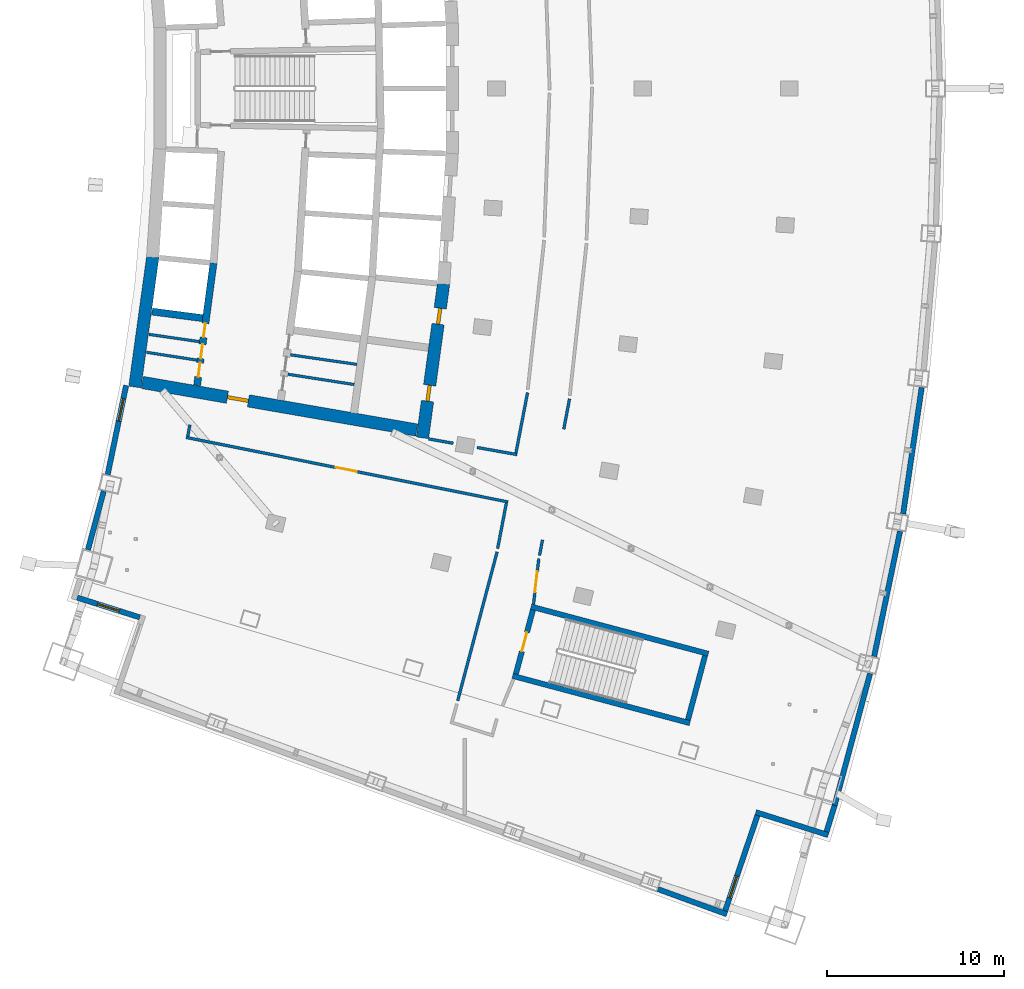
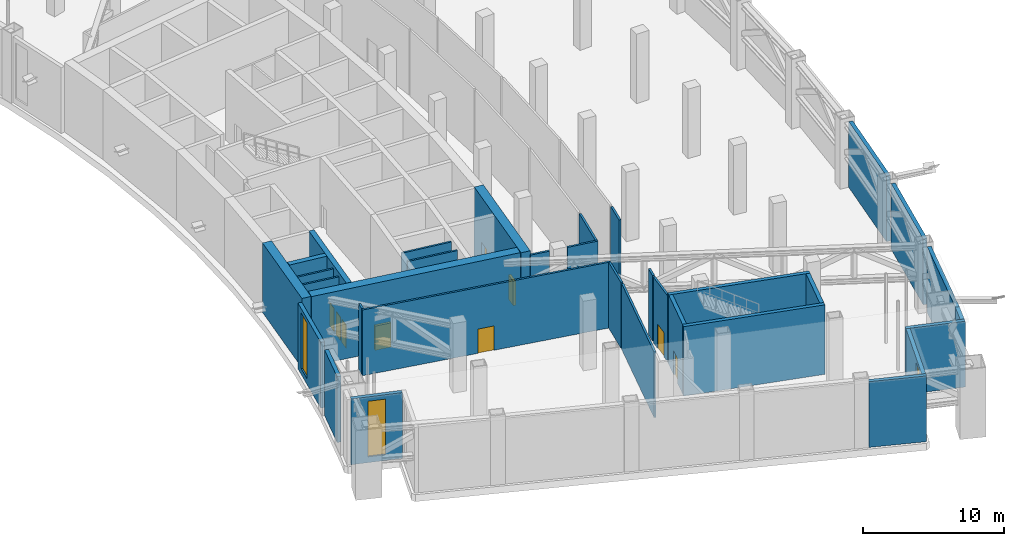
# One storey, part 16 of 26: 33 walls, 9 doors, 3 windows, 12 openings.
"""IFC4 building model written with IfcOpenShell, lengths in metres."""

from ifc_helpers import new_model, si_unit, direction, frame, frame_2d, origin, place, context, subcontext, project, spatial, rectangle, extrude, material, layer, layer_set, type_object, element, fill, save


model = new_model("IFC4")

# Units and contexts
model_context = context("Model", 3, precision=1e-05, world=origin(), true_north=direction((0.0, 1.0)))
body_context = subcontext(model_context, "Body", "Model", "MODEL_VIEW")
ifc_project = project(units=[si_unit("LENGTHUNIT", "METRE"), si_unit("AREAUNIT", "SQUARE_METRE"), si_unit("VOLUMEUNIT", "CUBIC_METRE"), si_unit("PLANEANGLEUNIT", "RADIAN"), si_unit("MASSUNIT", "GRAM", prefix="KILO")], contexts=[model_context])

# Site, building, storey
site_placement = place(None, origin())
site = spatial("IfcSite", under=ifc_project, at=site_placement, CompositionType="ELEMENT")
building_placement = place(site_placement, origin())
building = spatial("IfcBuilding", under=site, at=building_placement, Name="Alderwake Tower", CompositionType="ELEMENT")
storey_placement = place(building_placement, frame((0.0, 0.0, 132.800048828125)))
storey = spatial("IfcBuildingStorey", under=building, at=storey_placement, Name="L32", CompositionType="ELEMENT", Elevation=132.800048828125)

# Walls
ifc_material_1 = material(Name="Gypsum shaft wall system, rated")
ifc_layer_1 = layer(ifc_material_1, 0.14990234375)
ifc_layer_set_1 = layer_set([ifc_layer_1], Name="Core room partition 150")
wall_type_1 = type_object("IfcWallType", Name="Core room partition 150", PredefinedType="PARTITIONING", material=ifc_layer_set_1)
wall_1_placement = place(storey_placement, frame((16.024169921875, 46.097900390625, 0.0), z_axis=(0.0, 0.0, 1.0), x_axis=(0.988178321224, -0.153308856442, 0.0)))
element("IfcWall", 1, at=wall_1_placement, inside=storey, type_object=wall_type_1, Name="CW/L32/PR-161_+0", PredefinedType="PARTITIONING", context=body_context, shape_type="SweptSolid", body=[
    extrude(rectangle(XDim=2.88720703125, YDim=0.14990234375, at=frame_2d((1.443603515625, 0.0))), origin(), (0.0, 0.0, 1.0), 5.679931640625),
])
wall_2_placement = place(storey_placement, frame((24.01318359375, 44.858154296875, 0.0), z_axis=(0.0, 0.0, 1.0), x_axis=(0.98816936707, -0.153366560842, 0.0)))
element("IfcWall", 2, at=wall_2_placement, inside=storey, type_object=wall_type_1, Name="CW/L32/PR-161_+86", PredefinedType="PARTITIONING", context=body_context, shape_type="SweptSolid", body=[
    extrude(rectangle(XDim=3.796630859375, YDim=0.14990234375, at=frame_2d((1.8984375, 0.0))), origin(), (0.0, 0.0, 1.0), 5.679931640625),
])
wall_3_placement = place(storey_placement, frame((16.16357421875, 47.110595703125, 0.0), z_axis=(0.0, 0.0, 1.0), x_axis=(0.989731551655, -0.142938642984, 0.0)))
element("IfcWall", 3, at=wall_3_placement, inside=storey, type_object=wall_type_1, Name="CW/L32/PR-150_+0", PredefinedType="PARTITIONING", context=body_context, shape_type="SweptSolid", body=[
    extrude(rectangle(XDim=2.883056640625, YDim=0.14990234375, at=frame_2d((1.44140625, 0.0))), origin(), (0.0, 0.0, 1.0), 5.679931640625),
])
wall_4_placement = place(storey_placement, frame((24.160400390625, 45.95556640625, 0.0), z_axis=(0.0, 0.0, 1.0), x_axis=(0.989733513529, -0.142925057975, 0.0)))
element("IfcWall", 4, at=wall_4_placement, inside=storey, type_object=wall_type_1, Name="CW/L32/PR-150_+86", PredefinedType="PARTITIONING", context=body_context, shape_type="SweptSolid", body=[
    extrude(rectangle(XDim=3.795654296875, YDim=0.14990234375, at=frame_2d((1.89794921875, 0.0))), origin(), (0.0, 0.0, 1.0), 5.679931640625),
])
ifc_material_2 = material(Name="Concrete C70/85", Category="concrete")
ifc_layer_2 = layer(ifc_material_2, 0.699951171875)
ifc_layer_set_2 = layer_set([ifc_layer_2], Name="Core wall outer 700 C70-85")
wall_type_2 = type_object("IfcWallType", Name="Core wall outer 700 C70-85", PredefinedType="SHEAR", material=ifc_layer_set_2)
wall_5_placement = place(storey_placement, frame((15.370849609375, 44.1376953125, 0.0), z_axis=(0.0, 0.0, 1.0), x_axis=(0.136315619812, 0.99066545907, 0.0)))
element("IfcWall", 5, at=wall_5_placement, inside=storey, type_object=wall_type_2, Name="Core wall CW.042", PredefinedType="SHEAR", context=body_context, shape_type="SweptSolid", body=[
    extrude(rectangle(XDim=7.420166015625, YDim=0.699951171875, at=frame_2d((3.7099609375, 0.0))), origin(), (0.0, 0.0, 1.0), 6.0),
])

# Wall, openings, doors
wall_6_placement = place(storey_placement, frame((32.81298828125, 49.97412109375, 0.0), z_axis=(0.0, 0.0, 1.0), x_axis=(-0.135835706655, -0.99073137671, 0.0)))
wall_6 = element("IfcWall", 6, at=wall_6_placement, inside=storey, type_object=wall_type_2, Name="Core wall CW.012", PredefinedType="SHEAR", context=body_context, shape_type="SweptSolid", body=[
    extrude(rectangle(XDim=8.790771484375, YDim=0.699951171875, at=frame_2d((4.3955078125, 0.0))), origin(), (0.0, 0.0, 1.0), 6.0),
])
opening_1_placement = place(wall_6_placement, frame((1.40478515625, 0.0, 0.0)))
opening_1 = element("IfcOpeningElement", 7, at=opening_1_placement, cuts=wall_6, Name="Opening C050", PredefinedType="OPENING", context=body_context, shape_type="SweptSolid", body=[
    extrude(rectangle(XDim=0.89990234375, YDim=2.10009765625, at=frame_2d((0.449951171875, 1.050048828125))), frame((0.0, 0.35986328125, 0.0), z_axis=(0.0, -1.0, 0.0), x_axis=(1.0, 0.0, 0.0)), (0.0, 0.0, 1.0), 0.719970703125),
])
opening_2_placement = place(wall_6_placement, frame((5.79443359375, 0.0, 0.0)))
opening_2 = element("IfcOpeningElement", 8, at=opening_2_placement, cuts=wall_6, Name="Opening C061", PredefinedType="OPENING", context=body_context, shape_type="SweptSolid", body=[
    extrude(rectangle(XDim=0.89990234375, YDim=2.10009765625, at=frame_2d((0.449951171875, 1.050048828125))), frame((0.0, 0.35986328125, 0.0), z_axis=(0.0, -1.0, 0.0), x_axis=(1.0, 0.0, 0.0)), (0.0, 0.0, 1.0), 0.719970703125),
])
ifc_material_3 = material(Name="Painted steel leaf", Category="steel")
door_type_1 = type_object("IfcDoorType", Name="Core room door 900", OperationType="SINGLE_SWING_LEFT", PredefinedType="DOOR", material=ifc_material_3)
door_1_placement = place(opening_1_placement, origin())
door_1 = element("IfcDoor", 9, at=door_1_placement, inside=storey, type_object=door_type_1, Name="Room door", OperationType="SINGLE_SWING_RIGHT", OverallHeight=2.10009765625, OverallWidth=0.89990234375, PredefinedType="DOOR", context=body_context, shape_type="SweptSolid", body=[
    extrude(rectangle(XDim=0.89990234375, YDim=2.10009765625, at=frame_2d((0.449951171875, 1.050048828125))), frame((0.0, 0.10009765625, 0.0), z_axis=(0.0, -1.0, 0.0), x_axis=(1.0, 0.0, 0.0)), (0.0, 0.0, 1.0), 0.199951171875),
])
fill(opening_1, door_1)
door_2_placement = place(opening_2_placement, origin())
door_2 = element("IfcDoor", 10, at=door_2_placement, inside=storey, type_object=door_type_1, Name="Room door", OperationType="SINGLE_SWING_LEFT", OverallHeight=2.10009765625, OverallWidth=0.89990234375, PredefinedType="DOOR", context=body_context, shape_type="SweptSolid", body=[
    extrude(rectangle(XDim=0.89990234375, YDim=2.10009765625, at=frame_2d((0.449951171875, 1.050048828125))), frame((0.0, 0.10009765625, 0.0), z_axis=(0.0, -1.0, 0.0), x_axis=(1.0, 0.0, 0.0)), (0.0, 0.0, 1.0), 0.199951171875),
])
fill(opening_2, door_2)

# Wall, opening, door
wall_7_placement = place(storey_placement, frame((31.295654296875, 41.705810546875, 0.0), z_axis=(0.0, 0.0, 1.0), x_axis=(-0.985302589944, 0.170818050129, 0.0)))
wall_7 = element("IfcWall", 11, at=wall_7_placement, inside=storey, type_object=wall_type_2, Name="Core wall CW.072", PredefinedType="SHEAR", context=body_context, shape_type="SweptSolid", body=[
    extrude(rectangle(XDim=15.7373046875, YDim=0.699951171875, at=frame_2d((7.86865234375, 0.0))), origin(), (0.0, 0.0, 1.0), 6.0),
])
opening_3_placement = place(wall_7_placement, frame((9.65576171875, 0.0, 0.0)))
opening_3 = element("IfcOpeningElement", 12, at=opening_3_placement, cuts=wall_7, Name="Opening C003", PredefinedType="OPENING", context=body_context, shape_type="SweptSolid", body=[
    extrude(rectangle(XDim=1.199951171875, YDim=2.10009765625, at=frame_2d((0.60009765625, 1.050048828125))), frame((0.0, 0.35986328125, 0.0), z_axis=(0.0, -1.0, 0.0), x_axis=(1.0, 0.0, 0.0)), (0.0, 0.0, 1.0), 0.719970703125),
])
ifc_material_4 = material(Name="Steel-framed fire door leaf", Category="steel")
door_type_2 = type_object("IfcDoorType", Name="Core lobby exit door 1200 fire-rated", OperationType="SINGLE_SWING_LEFT", PredefinedType="DOOR", material=ifc_material_4)
door_3_placement = place(opening_3_placement, origin())
door_3 = element("IfcDoor", 13, at=door_3_placement, inside=storey, type_object=door_type_2, Name="Lobby door", OperationType="SINGLE_SWING_LEFT", OverallHeight=2.10009765625, OverallWidth=1.199951171875, PredefinedType="DOOR", context=body_context, shape_type="SweptSolid", body=[
    extrude(rectangle(XDim=1.199951171875, YDim=2.10009765625, at=frame_2d((0.60009765625, 1.050048828125))), frame((0.0, 0.10009765625, 0.0), z_axis=(0.0, -1.0, 0.0), x_axis=(1.0, 0.0, 0.0)), (0.0, 0.0, 1.0), 0.199951171875),
])
fill(opening_3, door_3)

# Wall, openings, doors
ifc_material_5 = material(Name="Concrete C70/85", Category="concrete")
ifc_layer_3 = layer(ifc_material_5, 0.39990234375)
ifc_layer_set_3 = layer_set([ifc_layer_3], Name="Core wall spine 400 C70-85")
wall_type_3 = type_object("IfcWallType", Name="Core wall spine 400 C70-85", PredefinedType="SHEAR", material=ifc_layer_set_3)
wall_8_placement = place(storey_placement, frame((19.814697265625, 51.143798828125, 0.0), z_axis=(0.0, 0.0, 1.0), x_axis=(-0.132864871698, -0.991134161387, 0.0)))
wall_8 = element("IfcWall", 14, at=wall_8_placement, inside=storey, type_object=wall_type_3, Name="Core wall CW.033", PredefinedType="SHEAR", context=body_context, shape_type="SweptSolid", body=[
    extrude(rectangle(XDim=6.978759765625, YDim=0.39990234375, at=frame_2d((3.4892578125, 0.0))), origin(), (0.0, 0.0, 1.0), 6.0),
])
opening_4_placement = place(wall_8_placement, frame((5.69677734375, 0.0, 0.0)))
opening_4 = element("IfcOpeningElement", 15, at=opening_4_placement, cuts=wall_8, Name="Opening C009", PredefinedType="OPENING", context=body_context, shape_type="SweptSolid", body=[
    extrude(rectangle(XDim=0.800048828125, YDim=2.0, at=frame_2d((0.39990234375, 1.0))), frame((0.0, 0.2099609375, 0.0), z_axis=(0.0, -1.0, 0.0), x_axis=(1.0, 0.0, 0.0)), (0.0, 0.0, 1.0), 0.419921875),
])
opening_5_placement = place(wall_8_placement, frame((4.64208984375, 0.0, 0.0)))
opening_5 = element("IfcOpeningElement", 16, at=opening_5_placement, cuts=wall_8, Name="Opening C011", PredefinedType="OPENING", context=body_context, shape_type="SweptSolid", body=[
    extrude(rectangle(XDim=0.800048828125, YDim=2.0, at=frame_2d((0.39990234375, 1.0))), frame((0.0, 0.2099609375, 0.0), z_axis=(0.0, -1.0, 0.0), x_axis=(1.0, 0.0, 0.0)), (0.0, 0.0, 1.0), 0.419921875),
])
opening_6_placement = place(wall_8_placement, frame((3.443115234375, 0.0, 0.0)))
opening_6 = element("IfcOpeningElement", 17, at=opening_6_placement, cuts=wall_8, Name="Opening C012", PredefinedType="OPENING", context=body_context, shape_type="SweptSolid", body=[
    extrude(rectangle(XDim=0.800048828125, YDim=2.0, at=frame_2d((0.39990234375, 1.0))), frame((0.0, 0.2099609375, 0.0), z_axis=(0.0, -1.0, 0.0), x_axis=(1.0, 0.0, 0.0)), (0.0, 0.0, 1.0), 0.419921875),
])
ifc_material_6 = material(Name="Painted steel leaf, rated", Category="steel")
door_type_3 = type_object("IfcDoorType", Name="Riser access door 800", OperationType="SINGLE_SWING_LEFT", PredefinedType="DOOR", material=ifc_material_6)
door_4_placement = place(opening_4_placement, origin())
door_4 = element("IfcDoor", 18, at=door_4_placement, inside=storey, type_object=door_type_3, Name="Riser access door", OperationType="SINGLE_SWING_LEFT", OverallHeight=2.0, OverallWidth=0.800048828125, PredefinedType="DOOR", context=body_context, shape_type="SweptSolid", body=[
    extrude(rectangle(XDim=0.800048828125, YDim=2.0, at=frame_2d((0.39990234375, 1.0))), frame((0.0, 0.02490234375, 0.0), z_axis=(0.0, -1.0, 0.0), x_axis=(1.0, 0.0, 0.0)), (0.0, 0.0, 1.0), 0.050048828125),
])
fill(opening_4, door_4)
door_5_placement = place(opening_5_placement, origin())
door_5 = element("IfcDoor", 19, at=door_5_placement, inside=storey, type_object=door_type_3, Name="Riser access door", OperationType="SINGLE_SWING_RIGHT", OverallHeight=2.0, OverallWidth=0.800048828125, PredefinedType="DOOR", context=body_context, shape_type="SweptSolid", body=[
    extrude(rectangle(XDim=0.800048828125, YDim=2.0, at=frame_2d((0.39990234375, 1.0))), frame((0.0, 0.02490234375, 0.0), z_axis=(0.0, -1.0, 0.0), x_axis=(1.0, 0.0, 0.0)), (0.0, 0.0, 1.0), 0.050048828125),
])
fill(opening_5, door_5)
door_6_placement = place(opening_6_placement, origin())
door_6 = element("IfcDoor", 20, at=door_6_placement, inside=storey, type_object=door_type_3, Name="Riser access door", OperationType="SINGLE_SWING_LEFT", OverallHeight=2.0, OverallWidth=0.800048828125, PredefinedType="DOOR", context=body_context, shape_type="SweptSolid", body=[
    extrude(rectangle(XDim=0.800048828125, YDim=2.0, at=frame_2d((0.39990234375, 1.0))), frame((0.0, 0.02490234375, 0.0), z_axis=(0.0, -1.0, 0.0), x_axis=(1.0, 0.0, 0.0)), (0.0, 0.0, 1.0), 0.050048828125),
])
fill(opening_6, door_6)

# Walls
wall_9_placement = place(storey_placement, frame((16.3408203125, 48.3994140625, 0.0), z_axis=(0.0, 0.0, 1.0), x_axis=(0.991544987266, -0.129763393253, 0.0)))
element("IfcWall", 21, at=wall_9_placement, inside=storey, type_object=wall_type_3, Name="Core wall CW.067", PredefinedType="SHEAR", context=body_context, shape_type="SweptSolid", body=[
    extrude(rectangle(XDim=2.878662109375, YDim=0.39990234375, at=frame_2d((1.439453125, 0.0))), origin(), (0.0, 0.0, 1.0), 6.0),
])
ifc_material_7 = material(Name="Concrete C70/85", Category="concrete")
ifc_layer_4 = layer(ifc_material_7, 0.300048828125)
ifc_layer_set_4 = layer_set([ifc_layer_4], Name="Core wall stair enclosure 300 C70-85")
wall_type_4 = type_object("IfcWallType", Name="Core wall stair enclosure 300 C70-85", PredefinedType="SHEAR", material=ifc_layer_set_4)
for number, where, z_axis, x_axis, name in (
    (22, (37.75390625, 31.731201171875, 0.0), (0.0, 0.0, 1.0), (0.966309214305, -0.257383958996, 0.0), "Core wall CW.086"),
    (23, (36.71142578125, 27.817626953125, 0.0), (0.0, 0.0, 1.0), (0.966309214305, -0.257383958996, 0.0), "Core wall CW.088"),
):
    element("IfcWall", number, at=place(storey_placement, frame(where, z_axis=z_axis, x_axis=x_axis)), inside=storey, type_object=wall_type_4, Name=name, PredefinedType="SHEAR", context=body_context, shape_type="SweptSolid", body=[
        extrude(rectangle(XDim=10.360107421875, YDim=0.300048828125, at=frame_2d((5.18017578125, 0.0))), origin(), (0.0, 0.0, 1.0), 6.0),
    ])

# Wall, opening, door
wall_10_placement = place(storey_placement, frame((36.89501953125, 27.923828125, 0.0), z_axis=(0.0, 0.0, 1.0), x_axis=(0.257350630826, 0.966318090907, 0.0)))
wall_10 = element("IfcWall", 24, at=wall_10_placement, inside=storey, type_object=wall_type_4, Name="Core wall CW.087", PredefinedType="SHEAR", context=body_context, shape_type="SweptSolid", body=[
    extrude(rectangle(XDim=3.75, YDim=0.300048828125, at=frame_2d((1.875, 0.0))), origin(), (0.0, 0.0, 1.0), 6.0),
])
opening_7_placement = place(wall_10_placement, frame((1.324951171875, 0.0, 0.0)))
opening_7 = element("IfcOpeningElement", 25, at=opening_7_placement, cuts=wall_10, Name="Opening C065", PredefinedType="OPENING", context=body_context, shape_type="SweptSolid", body=[
    extrude(rectangle(XDim=1.10009765625, YDim=2.10009765625, at=frame_2d((0.550048828125, 1.050048828125))), frame((0.0, 0.159912109375, 0.0), z_axis=(0.0, -1.0, 0.0), x_axis=(1.0, 0.0, 0.0)), (0.0, 0.0, 1.0), 0.320068359375),
])
ifc_material_8 = material(Name="Steel-framed fire door leaf", Category="steel")
door_type_4 = type_object("IfcDoorType", Name="Core stair door 1100 fire-rated", OperationType="SINGLE_SWING_LEFT", PredefinedType="DOOR", material=ifc_material_8)
door_7_placement = place(opening_7_placement, origin())
door_7 = element("IfcDoor", 26, at=door_7_placement, inside=storey, type_object=door_type_4, Name="Stair door", OperationType="SINGLE_SWING_LEFT", OverallHeight=2.10009765625, OverallWidth=1.10009765625, PredefinedType="DOOR", context=body_context, shape_type="SweptSolid", body=[
    extrude(rectangle(XDim=1.10009765625, YDim=2.10009765625, at=frame_2d((0.550048828125, 1.050048828125))), frame((0.0, 0.02490234375, 0.0), z_axis=(0.0, -1.0, 0.0), x_axis=(1.0, 0.0, 0.0)), (0.0, 0.0, 1.0), 0.050048828125),
])
fill(opening_7, door_7)

# Wall
wall_11_placement = place(storey_placement, frame((46.6162109375, 25.334716796875, 0.0), z_axis=(0.0, 0.0, 1.0), x_axis=(0.257366821694, 0.966313778796, 0.0)))
element("IfcWall", 27, at=wall_11_placement, inside=storey, type_object=wall_type_4, Name="Core wall CW.085", PredefinedType="SHEAR", context=body_context, shape_type="SweptSolid", body=[
    extrude(rectangle(XDim=3.749755859375, YDim=0.300048828125, at=frame_2d((1.875, 0.0))), origin(), (0.0, 0.0, 1.0), 6.0),
])

# Wall, opening, door
ifc_material_9 = material(Name="Gypsum board on metal studs, rated")
ifc_layer_5 = layer(ifc_material_9, 0.159912109375)
ifc_layer_set_5 = layer_set([ifc_layer_5], Name="Corridor wall 160")
wall_type_5 = type_object("IfcWallType", Name="Corridor wall 160", PredefinedType="PARTITIONING", material=ifc_layer_set_5)
wall_12_placement = place(storey_placement, frame((18.263671875, 41.289794921875, 0.0), z_axis=(0.0, 0.0, 1.0), x_axis=(0.980485895426, -0.196589442419, 0.0)))
wall_12 = element("IfcWall", 28, at=wall_12_placement, inside=storey, type_object=wall_type_5, Name="WL/L32/W04", PredefinedType="PARTITIONING", context=body_context, shape_type="SweptSolid", body=[
    extrude(rectangle(XDim=18.548828125, YDim=0.159912109375, at=frame_2d((9.2744140625, 0.0))), origin(), (0.0, 0.0, 1.0), 5.679931640625),
])
opening_8_placement = place(wall_12_placement, frame((8.629150390625, 0.0, 0.0)))
opening_8 = element("IfcOpeningElement", 29, at=opening_8_placement, cuts=wall_12, Name="Opening L32-03", PredefinedType="OPENING", context=body_context, shape_type="SweptSolid", body=[
    extrude(rectangle(XDim=1.199951171875, YDim=2.10009765625, at=frame_2d((0.60009765625, 1.050048828125))), frame((0.0, 0.08984375, 0.0), z_axis=(0.0, -1.0, 0.0), x_axis=(1.0, 0.0, 0.0)), (0.0, 0.0, 1.0), 0.179931640625),
])
ifc_material_10 = material(Name="Steel door leaf in steel frame", Category="steel")
door_type_5 = type_object("IfcDoorType", Name="Plant room door 1200 steel", OperationType="SINGLE_SWING_LEFT", PredefinedType="DOOR", material=ifc_material_10)
door_8_placement = place(opening_8_placement, origin())
door_8 = element("IfcDoor", 30, at=door_8_placement, inside=storey, type_object=door_type_5, Name="DR/L32/03", OperationType="SINGLE_SWING_LEFT", OverallHeight=2.10009765625, OverallWidth=1.199951171875, PredefinedType="DOOR", context=body_context, shape_type="SweptSolid", body=[
    extrude(rectangle(XDim=1.199951171875, YDim=2.10009765625, at=frame_2d((0.60009765625, 1.050048828125))), frame((0.0, 0.02490234375, 0.0), z_axis=(0.0, -1.0, 0.0), x_axis=(1.0, 0.0, 0.0)), (0.0, 0.0, 1.0), 0.050048828125),
])
fill(opening_8, door_8)

# Walls
wall_13_placement = place(storey_placement, frame((18.48291015625, 42.0, 0.0), z_axis=(0.0, 0.0, 1.0), x_axis=(-0.190275126141, -0.98173080647, 0.0)))
element("IfcWall", 31, at=wall_13_placement, inside=storey, type_object=wall_type_5, Name="WL/L32/W06", PredefinedType="PARTITIONING", context=body_context, shape_type="SweptSolid", body=[
    extrude(rectangle(XDim=0.659423828125, YDim=0.159912109375, at=frame_2d((0.32958984375, 0.0))), origin(), (0.0, 0.0, 1.0), 5.679931640625),
])
wall_14_placement = place(storey_placement, frame((35.83447265625, 34.8232421875, 0.0), z_axis=(0.0, 0.0, 1.0), x_axis=(-0.255868652374, -0.966711556118, 0.0)))
element("IfcWall", 32, at=wall_14_placement, inside=storey, type_object=wall_type_5, Name="WL/L32/W18", PredefinedType="PARTITIONING", context=body_context, shape_type="SweptSolid", body=[
    extrude(rectangle(XDim=8.700927734375, YDim=0.159912109375, at=frame_2d((4.3505859375, 0.0))), origin(), (0.0, 0.0, 1.0), 5.679931640625),
])
wall_15_placement = place(storey_placement, frame((36.35693359375, 37.580322265625, 0.0), z_axis=(0.0, 0.0, 1.0), x_axis=(-0.188097140211, -0.982150429336, 0.0)))
element("IfcWall", 33, at=wall_15_placement, inside=storey, type_object=wall_type_5, Name="WL/L32/W20", PredefinedType="PARTITIONING", context=body_context, shape_type="SweptSolid", body=[
    extrude(rectangle(XDim=2.619140625, YDim=0.159912109375, at=frame_2d((1.3095703125, 0.0))), origin(), (0.0, 0.0, 1.0), 5.679931640625),
])
wall_16_placement = place(storey_placement, frame((36.9638671875, 40.321044921875, 0.0), z_axis=(0.0, 0.0, 1.0), x_axis=(-0.984738600796, 0.174039903766, 0.0)))
element("IfcWall", 34, at=wall_16_placement, inside=storey, type_object=wall_type_5, Name="WL/L32/W24", PredefinedType="PARTITIONING", context=body_context, shape_type="SweptSolid", body=[
    extrude(rectangle(XDim=2.2978515625, YDim=0.159912109375, at=frame_2d((1.14892578125, 0.0))), origin(), (0.0, 0.0, 1.0), 5.679931640625),
])
wall_17_placement = place(storey_placement, frame((33.36181640625, 40.95751953125, 0.0), z_axis=(0.0, 0.0, 1.0), x_axis=(-0.984721256589, 0.174138010844, 0.0)))
element("IfcWall", 35, at=wall_17_placement, inside=storey, type_object=wall_type_5, Name="WL/L32/W43", PredefinedType="PARTITIONING", context=body_context, shape_type="SweptSolid", body=[
    extrude(rectangle(XDim=1.421630859375, YDim=0.159912109375, at=frame_2d((0.7109375, 0.0))), origin(), (0.0, 0.0, 1.0), 5.679931640625),
])
wall_18_placement = place(storey_placement, frame((37.55419921875, 43.815673828125, 0.0), z_axis=(0.0, 0.0, 1.0), x_axis=(-0.188792504186, -0.982017001056, 0.0)))
element("IfcWall", 36, at=wall_18_placement, inside=storey, type_object=wall_type_5, Name="WL/L32/W26", PredefinedType="PARTITIONING", context=body_context, shape_type="SweptSolid", body=[
    extrude(rectangle(XDim=3.46435546875, YDim=0.159912109375, at=frame_2d((1.732177734375, 0.0))), origin(), (0.0, 0.0, 1.0), 5.679931640625),
])

# Wall, opening, door
wall_19_placement = place(storey_placement, frame((37.89111328125, 31.86083984375, 0.0), z_axis=(0.0, 0.0, 1.0), x_axis=(0.115252591954, 0.993336217022, 0.0)))
wall_19 = element("IfcWall", 37, at=wall_19_placement, inside=storey, type_object=wall_type_5, Name="WL/L32/W28", PredefinedType="PARTITIONING", context=body_context, shape_type="SweptSolid", body=[
    extrude(rectangle(XDim=2.594970703125, YDim=0.159912109375, at=frame_2d((1.29736328125, 0.0))), origin(), (0.0, 0.0, 1.0), 5.679931640625),
])
opening_9_placement = place(wall_19_placement, frame((0.689208984375, 0.0, 0.0)))
opening_9 = element("IfcOpeningElement", 38, at=opening_9_placement, cuts=wall_19, Name="Opening L32-01", PredefinedType="OPENING", context=body_context, shape_type="SweptSolid", body=[
    extrude(rectangle(XDim=1.199951171875, YDim=2.10009765625, at=frame_2d((0.60009765625, 1.050048828125))), frame((0.0, 0.08984375, 0.0), z_axis=(0.0, -1.0, 0.0), x_axis=(1.0, 0.0, 0.0)), (0.0, 0.0, 1.0), 0.179931640625),
])
door_9_placement = place(opening_9_placement, origin())
door_9 = element("IfcDoor", 39, at=door_9_placement, inside=storey, type_object=door_type_5, Name="DR/L32/01", OperationType="SINGLE_SWING_LEFT", OverallHeight=2.10009765625, OverallWidth=1.199951171875, PredefinedType="DOOR", context=body_context, shape_type="SweptSolid", body=[
    extrude(rectangle(XDim=1.199951171875, YDim=2.10009765625, at=frame_2d((0.60009765625, 1.050048828125))), frame((0.0, 0.02490234375, 0.0), z_axis=(0.0, -1.0, 0.0), x_axis=(1.0, 0.0, 0.0)), (0.0, 0.0, 1.0), 0.050048828125),
])
fill(opening_9, door_9)

# Walls
wall_20_placement = place(storey_placement, frame((38.231201171875, 34.620849609375, 0.0), z_axis=(0.0, 0.0, 1.0), x_axis=(0.188654992631, 0.982043427632, 0.0)))
element("IfcWall", 40, at=wall_20_placement, inside=storey, type_object=wall_type_5, Name="WL/L32/W30", PredefinedType="PARTITIONING", context=body_context, shape_type="SweptSolid", body=[
    extrude(rectangle(XDim=0.894287109375, YDim=0.159912109375, at=frame_2d((0.447265625, 0.0))), origin(), (0.0, 0.0, 1.0), 5.679931640625),
])
wall_21_placement = place(storey_placement, frame((39.60009765625, 41.7509765625, 0.0), z_axis=(0.0, 0.0, 1.0), x_axis=(0.187080006691, 0.982344680393, 0.0)))
element("IfcWall", 41, at=wall_21_placement, inside=storey, type_object=wall_type_5, Name="WL/L32/W36", PredefinedType="PARTITIONING", context=body_context, shape_type="SweptSolid", body=[
    extrude(rectangle(XDim=1.747314453125, YDim=0.159912109375, at=frame_2d((0.87353515625, 0.0))), origin(), (0.0, 0.0, 1.0), 5.679931640625),
])

# Wall, opening, window
ifc_material_11 = material(Name="Bronze metal cladding on lightweight framing")
ifc_layer_6 = layer(ifc_material_11, 0.300048828125)
ifc_layer_set_6 = layer_set([ifc_layer_6], Name="External wall EW3 plant enclosure")
wall_type_6 = type_object("IfcWallType", Name="External wall EW3 plant enclosure", PredefinedType="SOLIDWALL", material=ifc_layer_set_6)
wall_22_placement = place(storey_placement, frame((12.113037109375, 32.2412109375, 0.0), z_axis=(0.0, 0.0, 1.0), x_axis=(0.953458128271, -0.301525451054, 0.0)))
wall_22 = element("IfcWall", 42, at=wall_22_placement, inside=storey, type_object=wall_type_6, Name="External wall 2", PredefinedType="SOLIDWALL", context=body_context, shape_type="SweptSolid", body=[
    extrude(rectangle(XDim=3.705810546875, YDim=0.300048828125, at=frame_2d((1.85302734375, 0.0))), origin(), (0.0, 0.0, 1.0), 5.679931640625),
])
opening_10_placement = place(wall_22_placement, frame((1.202880859375, 0.0, 0.5)))
opening_10 = element("IfcOpeningElement", 43, at=opening_10_placement, cuts=wall_22, Name="Opening LV1", PredefinedType="OPENING", context=body_context, shape_type="SweptSolid", body=[
    extrude(rectangle(XDim=1.300048828125, YDim=4.800048828125, at=frame_2d((0.64990234375, 2.39990234375))), frame((0.0, 0.159912109375, 0.0), z_axis=(0.0, -1.0, 0.0), x_axis=(1.0, 0.0, 0.0)), (0.0, 0.0, 1.0), 0.320068359375),
])
ifc_material_12 = material(Name="Bronze anodised aluminium louvre", Category="aluminium")
window_type = type_object("IfcWindowType", Name="Louvre LV1 plant floor", PartitioningType="SINGLE_PANEL", PredefinedType="USERDEFINED", material=ifc_material_12)
window_1_placement = place(opening_10_placement, origin())
window_1 = element("IfcWindow", 44, at=window_1_placement, inside=storey, type_object=window_type, Name="Louvre LV1 plant floor", ObjectType="LOUVRE", OverallHeight=4.800048828125, OverallWidth=1.300048828125, PartitioningType="SINGLE_PANEL", PredefinedType="USERDEFINED", context=body_context, shape_type="SweptSolid", body=[
    extrude(rectangle(XDim=1.300048828125, YDim=4.800048828125, at=frame_2d((0.64990234375, 2.39990234375))), frame((0.0, 0.030029296875, 0.0), z_axis=(0.0, -1.0, 0.0), x_axis=(1.0, 0.0, 0.0)), (0.0, 0.0, 1.0), 0.06005859375),
])
fill(opening_10, window_1)

# Wall
wall_23_placement = place(storey_placement, frame((44.924072265625, 15.771728515625, 0.0), z_axis=(0.0, 0.0, 1.0), x_axis=(0.939377533493, -0.34288460095, 0.0)))
element("IfcWall", 45, at=wall_23_placement, inside=storey, type_object=wall_type_6, Name="External wall 8", PredefinedType="SOLIDWALL", context=body_context, shape_type="SweptSolid", body=[
    extrude(rectangle(XDim=4.137451171875, YDim=0.300048828125, at=frame_2d((2.06884765625, 0.0))), origin(), (0.0, 0.0, 1.0), 5.679931640625),
])

# Wall, opening, window
wall_24_placement = place(storey_placement, frame((48.718017578125, 14.54638671875, 0.0), z_axis=(0.0, 0.0, 1.0), x_axis=(0.320898962685, 0.947113433411, 0.0)))
wall_24 = element("IfcWall", 46, at=wall_24_placement, inside=storey, type_object=wall_type_6, Name="External wall 9", PredefinedType="SOLIDWALL", context=body_context, shape_type="SweptSolid", body=[
    extrude(rectangle(XDim=5.68701171875, YDim=0.300048828125, at=frame_2d((2.843505859375, 0.0))), origin(), (0.0, 0.0, 1.0), 5.679931640625),
])
opening_11_placement = place(wall_24_placement, frame((0.771728515625, 0.0, 0.5)))
opening_11 = element("IfcOpeningElement", 47, at=opening_11_placement, cuts=wall_24, Name="Opening LV1", PredefinedType="OPENING", context=body_context, shape_type="SweptSolid", body=[
    extrude(rectangle(XDim=1.300048828125, YDim=4.800048828125, at=frame_2d((0.64990234375, 2.39990234375))), frame((0.0, 0.159912109375, 0.0), z_axis=(0.0, -1.0, 0.0), x_axis=(1.0, 0.0, 0.0)), (0.0, 0.0, 1.0), 0.320068359375),
])
window_2_placement = place(opening_11_placement, origin())
window_2 = element("IfcWindow", 48, at=window_2_placement, inside=storey, type_object=window_type, Name="Louvre LV1 plant floor", ObjectType="LOUVRE", OverallHeight=4.800048828125, OverallWidth=1.300048828125, PartitioningType="SINGLE_PANEL", PredefinedType="USERDEFINED", context=body_context, shape_type="SweptSolid", body=[
    extrude(rectangle(XDim=1.300048828125, YDim=4.800048828125, at=frame_2d((0.64990234375, 2.39990234375))), frame((0.0, 0.030029296875, 0.0), z_axis=(0.0, -1.0, 0.0), x_axis=(1.0, 0.0, 0.0)), (0.0, 0.0, 1.0), 0.06005859375),
])
fill(opening_11, window_2)

# Walls
wall_25_placement = place(storey_placement, frame((50.447998046875, 20.119873046875, 0.0), z_axis=(0.0, 0.0, 1.0), x_axis=(0.953453695683, -0.30153946705, 0.0)))
element("IfcWall", 49, at=wall_25_placement, inside=storey, type_object=wall_type_6, Name="External wall 10", PredefinedType="SOLIDWALL", context=body_context, shape_type="SweptSolid", body=[
    extrude(rectangle(XDim=4.29443359375, YDim=0.300048828125, at=frame_2d((2.147216796875, 0.0))), origin(), (0.0, 0.0, 1.0), 5.679931640625),
])
wall_26_placement = place(storey_placement, frame((54.443603515625, 19.013671875, 0.0), z_axis=(0.0, 0.0, 1.0), x_axis=(0.294516290388, 0.955646459051, 0.0)))
element("IfcWall", 50, at=wall_26_placement, inside=storey, type_object=wall_type_6, Name="External wall 11", PredefinedType="SOLIDWALL", context=body_context, shape_type="SweptSolid", body=[
    extrude(rectangle(XDim=1.55419921875, YDim=0.300048828125, at=frame_2d((0.777099609375, 0.0))), origin(), (0.0, 0.0, 1.0), 5.679931640625),
])
wall_27_placement = place(storey_placement, frame((54.90087890625, 20.497314453125, 0.0), z_axis=(0.0, 0.0, 1.0), x_axis=(0.259520802976, 0.96573751756, 0.0)))
element("IfcWall", 51, at=wall_27_placement, inside=storey, type_object=wall_type_6, Name="External wall 12", PredefinedType="SOLIDWALL", context=body_context, shape_type="SweptSolid", body=[
    extrude(rectangle(XDim=7.7177734375, YDim=0.300048828125, at=frame_2d((3.85888671875, 0.0))), origin(), (0.0, 0.0, 1.0), 5.679931640625),
])
for number, where, z_axis, x_axis, name in (
    (52, (57.13427734375, 28.9208984375, 0.0), (0.0, 0.0, 1.0), (0.202759964429, 0.979228470187, 0.0), "External wall 13"),
    (53, (58.771240234375, 36.970458984375, 0.0), (0.0, 0.0, 1.0), (0.145322588421, 0.989384326384, 0.0), "External wall 14"),
):
    element("IfcWall", number, at=place(storey_placement, frame(where, z_axis=z_axis, x_axis=x_axis)), inside=storey, type_object=wall_type_6, Name=name, PredefinedType="SOLIDWALL", context=body_context, shape_type="SweptSolid", body=[
        extrude(rectangle(XDim=7.21728515625, YDim=0.300048828125, at=frame_2d((3.608642578125, 0.0))), origin(), (0.0, 0.0, 1.0), 5.679931640625),
    ])

# Wall, opening, window
wall_28_placement = place(storey_placement, frame((14.878173828125, 44.223388671875, 0.0), z_axis=(0.0, 0.0, 1.0), x_axis=(-0.202723539143, -0.979236011734, 0.0)))
wall_28 = element("IfcWall", 54, at=wall_28_placement, inside=storey, type_object=wall_type_6, Name="External wall 35", PredefinedType="SOLIDWALL", context=body_context, shape_type="SweptSolid", body=[
    extrude(rectangle(XDim=5.134033203125, YDim=0.300048828125, at=frame_2d((2.56689453125, 0.0))), origin(), (0.0, 0.0, 1.0), 5.679931640625),
])
opening_12_placement = place(wall_28_placement, frame((0.75634765625, 0.0, 0.5)))
opening_12 = element("IfcOpeningElement", 55, at=opening_12_placement, cuts=wall_28, Name="Opening LV1", PredefinedType="OPENING", context=body_context, shape_type="SweptSolid", body=[
    extrude(rectangle(XDim=1.300048828125, YDim=4.800048828125, at=frame_2d((0.64990234375, 2.39990234375))), frame((0.0, 0.159912109375, 0.0), z_axis=(0.0, -1.0, 0.0), x_axis=(1.0, 0.0, 0.0)), (0.0, 0.0, 1.0), 0.320068359375),
])
window_3_placement = place(opening_12_placement, origin())
window_3 = element("IfcWindow", 56, at=window_3_placement, inside=storey, type_object=window_type, Name="Louvre LV1 plant floor", ObjectType="LOUVRE", OverallHeight=4.800048828125, OverallWidth=1.300048828125, PartitioningType="SINGLE_PANEL", PredefinedType="USERDEFINED", context=body_context, shape_type="SweptSolid", body=[
    extrude(rectangle(XDim=1.300048828125, YDim=4.800048828125, at=frame_2d((0.64990234375, 2.39990234375))), frame((0.0, 0.030029296875, 0.0), z_axis=(0.0, -1.0, 0.0), x_axis=(1.0, 0.0, 0.0)), (0.0, 0.0, 1.0), 0.06005859375),
])
fill(opening_12, window_3)

# Wall
wall_29_placement = place(storey_placement, frame((13.61328125, 38.254150390625, 0.0), z_axis=(0.0, 0.0, 1.0), x_axis=(-0.259491177984, -0.96574547814, 0.0)))
element("IfcWall", 57, at=wall_29_placement, inside=storey, type_object=wall_type_6, Name="External wall 36", PredefinedType="SOLIDWALL", context=body_context, shape_type="SweptSolid", body=[
    extrude(rectangle(XDim=3.43115234375, YDim=0.300048828125, at=frame_2d((1.715576171875, 0.0))), origin(), (0.0, 0.0, 1.0), 5.679931640625),
])

save(model, "model.ifc")
